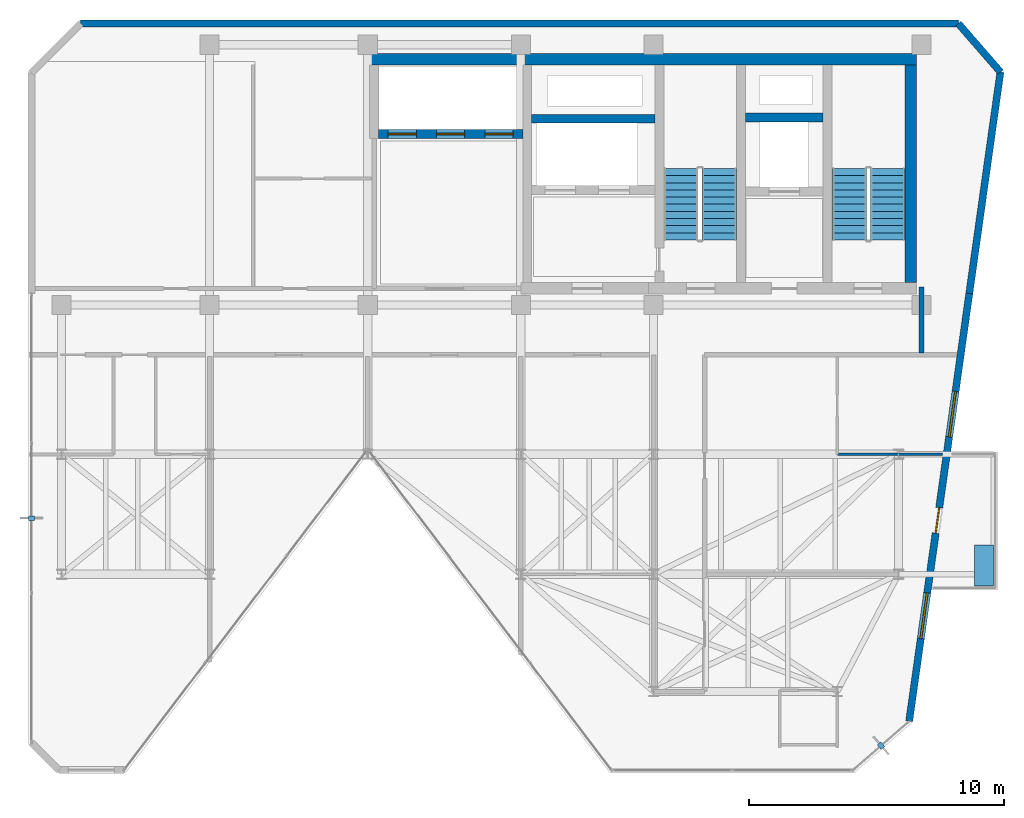
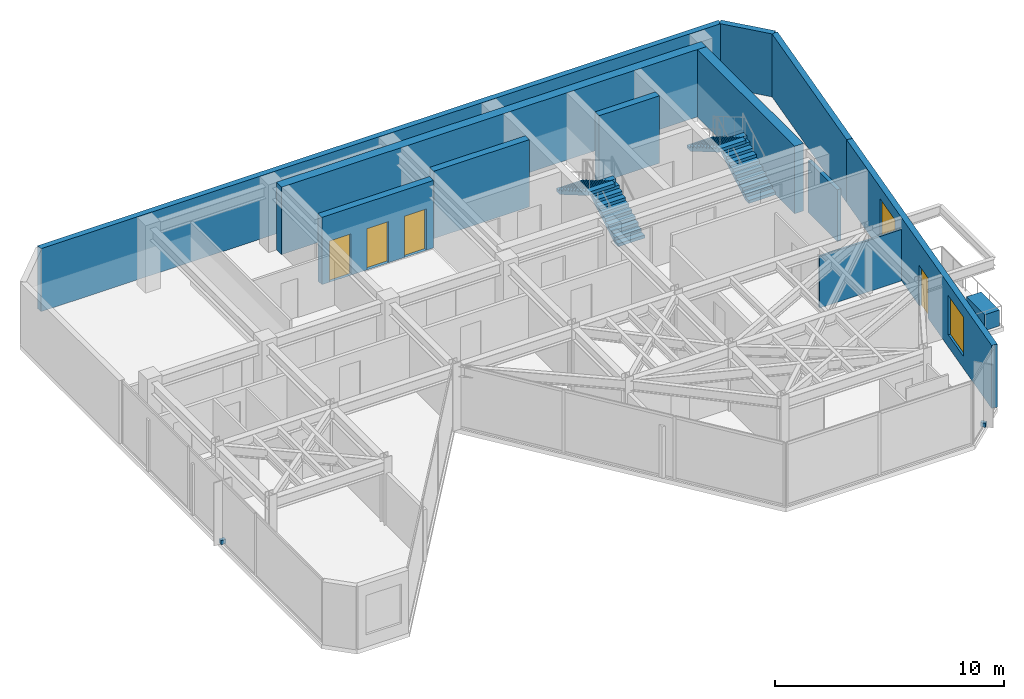
# One storey, part 15 of 17: 11 walls, 4 doors, 4 stair flights, 3 discrete accessories, 2 windows, 6 openings, 2 elements without a shape of their own.
"""IFC4 building model written with IfcOpenShell, lengths in metres."""

from ifc_helpers import new_model, si_unit, direction, frame, frame_2d, origin, origin_2d, place, context, subcontext, project, spatial, polyline, rectangle, outline, extrude, material, layer, layer_set, type_object, element, fill, aggregate, save


model = new_model("IFC4")

# Units and contexts
model_context = context("Model", 3, precision=1e-05, world=origin(), true_north=direction((0.0, 1.0)))
body_context = subcontext(model_context, "Body", "Model", "MODEL_VIEW")
ifc_project = project(units=[si_unit("LENGTHUNIT", "METRE"), si_unit("AREAUNIT", "SQUARE_METRE"), si_unit("VOLUMEUNIT", "CUBIC_METRE"), si_unit("PLANEANGLEUNIT", "RADIAN"), si_unit("MASSUNIT", "GRAM", prefix="KILO")], contexts=[model_context])

# Site, building, storey
site_placement = place(None, origin())
site = spatial("IfcSite", under=ifc_project, at=site_placement, CompositionType="ELEMENT")
building_placement = place(site_placement, origin())
building = spatial("IfcBuilding", under=site, at=building_placement, Name="Kravanh Interchange Tower", CompositionType="ELEMENT")
storey_placement = place(building_placement, frame((0.0, 0.0, 289.5)))
storey = spatial("IfcBuildingStorey", under=building, at=storey_placement, Name="L71", CompositionType="ELEMENT", Elevation=289.5)

# Walls
ifc_material_1 = material(Name="Concrete C60/75", Category="concrete")
ifc_layer_1 = layer(ifc_material_1, 0.35009765625)
ifc_layer_set_1 = layer_set([ifc_layer_1], Name="Core Shear Wall Concrete C60/75 350mm")
wall_type_1 = type_object("IfcWallType", Name="Core Shear Wall Concrete C60/75 350mm", PredefinedType="SHEAR", material=ifc_layer_set_1)
wall_1_placement = place(storey_placement, frame((59.60009765625, 44.699951171875, 0.0), z_axis=(0.0, 0.0, 1.0), x_axis=(1.0, 0.0, 0.0)))
element("IfcWall", 1, at=wall_1_placement, inside=storey, type_object=wall_type_1, Name="L71 Service Lift Shaft North Wall", PredefinedType="SHEAR", context=body_context, shape_type="SweptSolid", body=[
    extrude(rectangle(XDim=3.0498046875, YDim=0.35009765625, at=frame_2d((1.52490234375, 0.0))), origin(), (0.0, 0.0, 1.0), 3.60009765625),
])
wall_2_placement = place(storey_placement, frame((51.22509765625, 44.64990234375, 0.0), z_axis=(0.0, 0.0, 1.0), x_axis=(1.0, 0.0, 0.0)))
element("IfcWall", 2, at=wall_2_placement, inside=storey, type_object=wall_type_1, Name="L71 Fire Lift Shaft North Wall", PredefinedType="SHEAR", context=body_context, shape_type="SweptSolid", body=[
    extrude(rectangle(XDim=4.824951171875, YDim=0.35009765625, at=frame_2d((2.41259765625, 0.0))), origin(), (0.0, 0.0, 1.0), 3.60009765625),
])

# Wall, openings, doors
wall_3_placement = place(storey_placement, frame((45.22509765625, 44.050048828125, 0.0), z_axis=(0.0, 0.0, 1.0), x_axis=(1.0, 0.0, 0.0)))
wall_3 = element("IfcWall", 3, at=wall_3_placement, inside=storey, type_object=wall_type_1, Name="L71 High-Rise Lift Shaft South Wall", PredefinedType="SHEAR", context=body_context, shape_type="SweptSolid", body=[
    extrude(rectangle(XDim=5.64990234375, YDim=0.35009765625, at=frame_2d((2.824951171875, 0.0))), origin(), (0.0, 0.0, 1.0), 3.60009765625),
])
opening_1_placement = place(wall_3_placement, frame((0.375, 0.0, 0.0)))
opening_1 = element("IfcOpeningElement", 4, at=opening_1_placement, cuts=wall_3, Name="Opening LD01", PredefinedType="OPENING", context=body_context, shape_type="SweptSolid", body=[
    extrude(rectangle(XDim=1.10009765625, YDim=2.199951171875, at=frame_2d((0.550048828125, 1.10009765625))), frame((0.0, 0.18505859375, 0.0), z_axis=(0.0, -1.0, 0.0), x_axis=(1.0, 0.0, 0.0)), (0.0, 0.0, 1.0), 0.3701171875),
])
opening_2_placement = place(wall_3_placement, frame((2.27490234375, 0.0, 0.0)))
opening_2 = element("IfcOpeningElement", 5, at=opening_2_placement, cuts=wall_3, Name="Opening LD01", PredefinedType="OPENING", context=body_context, shape_type="SweptSolid", body=[
    extrude(rectangle(XDim=1.10009765625, YDim=2.199951171875, at=frame_2d((0.550048828125, 1.10009765625))), frame((0.0, 0.18505859375, 0.0), z_axis=(0.0, -1.0, 0.0), x_axis=(1.0, 0.0, 0.0)), (0.0, 0.0, 1.0), 0.3701171875),
])
opening_3_placement = place(wall_3_placement, frame((4.175048828125, 0.0, 0.0)))
opening_3 = element("IfcOpeningElement", 6, at=opening_3_placement, cuts=wall_3, Name="Opening LD01", PredefinedType="OPENING", context=body_context, shape_type="SweptSolid", body=[
    extrude(rectangle(XDim=1.10009765625, YDim=2.199951171875, at=frame_2d((0.550048828125, 1.10009765625))), frame((0.0, 0.18505859375, 0.0), z_axis=(0.0, -1.0, 0.0), x_axis=(1.0, 0.0, 0.0)), (0.0, 0.0, 1.0), 0.3701171875),
])
ifc_material_2 = material(Name="Stainless Steel 304", Category="steel")
door_type_1 = type_object("IfcDoorType", Name="Passenger Lift Sliding Landing Door 1100x2200", OperationType="DOUBLE_DOOR_SLIDING", PredefinedType="DOOR", material=ifc_material_2)
door_1_placement = place(opening_1_placement, origin())
door_1 = element("IfcDoor", 7, at=door_1_placement, inside=storey, type_object=door_type_1, Name="L71 Lift LP-H1 Landing Door", OperationType="DOUBLE_DOOR_SLIDING", OverallHeight=2.199951171875, OverallWidth=1.10009765625, PredefinedType="DOOR", context=body_context, shape_type="SweptSolid", body=[
    extrude(rectangle(XDim=1.10009765625, YDim=2.199951171875, at=frame_2d((0.550048828125, 1.10009765625))), frame((0.0, 0.02490234375, 0.0), z_axis=(0.0, -1.0, 0.0), x_axis=(1.0, 0.0, 0.0)), (0.0, 0.0, 1.0), 0.050048828125),
])
fill(opening_1, door_1)
door_2_placement = place(opening_2_placement, origin())
door_2 = element("IfcDoor", 8, at=door_2_placement, inside=storey, type_object=door_type_1, Name="L71 Lift LP-H2 Landing Door", OperationType="DOUBLE_DOOR_SLIDING", OverallHeight=2.199951171875, OverallWidth=1.10009765625, PredefinedType="DOOR", context=body_context, shape_type="SweptSolid", body=[
    extrude(rectangle(XDim=1.10009765625, YDim=2.199951171875, at=frame_2d((0.550048828125, 1.10009765625))), frame((0.0, 0.02490234375, 0.0), z_axis=(0.0, -1.0, 0.0), x_axis=(1.0, 0.0, 0.0)), (0.0, 0.0, 1.0), 0.050048828125),
])
fill(opening_2, door_2)
door_3_placement = place(opening_3_placement, origin())
door_3 = element("IfcDoor", 9, at=door_3_placement, inside=storey, type_object=door_type_1, Name="L71 Lift LP-H3 Landing Door", OperationType="DOUBLE_DOOR_SLIDING", OverallHeight=2.199951171875, OverallWidth=1.10009765625, PredefinedType="DOOR", context=body_context, shape_type="SweptSolid", body=[
    extrude(rectangle(XDim=1.10009765625, YDim=2.199951171875, at=frame_2d((0.550048828125, 1.10009765625))), frame((0.0, 0.02490234375, 0.0), z_axis=(0.0, -1.0, 0.0), x_axis=(1.0, 0.0, 0.0)), (0.0, 0.0, 1.0), 0.050048828125),
])
fill(opening_3, door_3)

# Walls
ifc_material_3 = material(Name="Concrete C60/75", Category="concrete")
ifc_layer_2 = layer(ifc_material_3, 0.449951171875)
ifc_layer_set_2 = layer_set([ifc_layer_2], Name="Core Shear Wall Concrete C60/75 450mm")
wall_type_2 = type_object("IfcWallType", Name="Core Shear Wall Concrete C60/75 450mm", PredefinedType="SHEAR", material=ifc_layer_set_2)
wall_4_placement = place(storey_placement, frame((44.85009765625, 46.97509765625, 0.0), z_axis=(0.0, 0.0, 1.0), x_axis=(1.0, 0.0, 0.0)))
element("IfcWall", 10, at=wall_4_placement, inside=storey, type_object=wall_type_2, Name="L71 North Core Shear Wall", PredefinedType="SHEAR", context=body_context, shape_type="SweptSolid", body=[
    extrude(rectangle(XDim=21.449951171875, YDim=0.449951171875, at=frame_2d((10.72509765625, 0.0))), origin(), (0.0, 0.0, 1.0), 3.60009765625),
])
wall_5_placement = place(storey_placement, frame((66.074951171875, 38.22509765625, 0.0), z_axis=(0.0, 0.0, 1.0), x_axis=(0.0, 1.0, 0.0)))
element("IfcWall", 11, at=wall_5_placement, inside=storey, type_object=wall_type_2, Name="L71 Stair ST1 East Shear Wall", PredefinedType="SHEAR", context=body_context, shape_type="SweptSolid", body=[
    extrude(rectangle(XDim=8.52490234375, YDim=0.449951171875, at=frame_2d((4.262451171875, 0.0))), origin(), (0.0, 0.0, 1.0), 3.60009765625),
])
ifc_material_4 = material(Name="Moisture-Resistant Gypsum Board and Mineral Wool")
ifc_layer_3 = layer(ifc_material_4, 0.10009765625)
ifc_layer_set_3 = layer_set([ifc_layer_3], Name="En-Suite Moisture-Resistant Partition 100mm")
wall_type_3 = type_object("IfcWallType", Name="En-Suite Moisture-Resistant Partition 100mm", PredefinedType="PARTITIONING", material=ifc_layer_set_3)
wall_6_placement = place(storey_placement, frame((63.199951171875, 31.5, 0.0), z_axis=(0.0, 0.0, 1.0), x_axis=(1.0, 0.0, 0.0)))
element("IfcWall", 12, at=wall_6_placement, inside=storey, type_object=wall_type_3, Name="L71 Interior Partition 20", PredefinedType="PARTITIONING", context=body_context, shape_type="SweptSolid", body=[
    extrude(rectangle(XDim=4.123046875, YDim=0.10009765625, at=frame_2d((2.0615234375, 0.0))), origin(), (0.0, 0.0, 1.0), 2.75390625),
])
ifc_material_5 = material(Name="Insulated Precast Concrete C40/50 with Bronze Cladding", Category="concrete")
ifc_layer_4 = layer(ifc_material_5, 0.280029296875)
ifc_layer_set_4 = layer_set([ifc_layer_4], Name="Exterior Insulated Concrete C40/50 Bronze Spandrel Wall 280mm")
wall_type_4 = type_object("IfcWallType", Name="Exterior Insulated Concrete C40/50 Bronze Spandrel Wall 280mm", PredefinedType="STANDARD", material=ifc_layer_set_4)
wall_7_placement = place(storey_placement, frame((33.5498046875, 48.3798828125, 0.0), z_axis=(0.0, 0.0, 1.0), x_axis=(1.0, 0.0, 0.0)))
element("IfcWall", 13, at=wall_7_placement, inside=storey, type_object=wall_type_4, Name="L71 Exterior Wall 3", PredefinedType="STANDARD", context=body_context, shape_type="SweptSolid", body=[
    extrude(rectangle(XDim=34.3955078125, YDim=0.280029296875, at=frame_2d((17.19775390625, 0.0))), origin(), (0.0, 0.0, 1.0), 3.364990234375),
])
wall_8_placement = place(storey_placement, frame((67.9453125, 48.3798828125, 0.0), z_axis=(0.0, 0.0, 1.0), x_axis=(0.656068147197, -0.75470165379, 0.0)))
element("IfcWall", 14, at=wall_8_placement, inside=storey, type_object=wall_type_4, Name="L71 Exterior Wall 4", PredefinedType="STANDARD", context=body_context, shape_type="SweptSolid", body=[
    extrude(rectangle(XDim=2.514892578125, YDim=0.280029296875, at=frame_2d((1.25732421875, 0.0))), origin(), (0.0, 0.0, 1.0), 3.364990234375),
])
wall_9_placement = place(storey_placement, frame((69.59521484375, 46.48193359375, 0.0), z_axis=(0.0, 0.0, 1.0), x_axis=(-0.139179310088, -0.990267196086, 0.0)))
element("IfcWall", 15, at=wall_9_placement, inside=storey, type_object=wall_type_4, Name="L71 Exterior Wall 5", PredefinedType="STANDARD", context=body_context, shape_type="SweptSolid", body=[
    extrude(rectangle(XDim=8.767333984375, YDim=0.280029296875, at=frame_2d((4.3837890625, 0.0))), origin(), (0.0, 0.0, 1.0), 3.364990234375),
])

# Wall, openings, door, windows
wall_10_placement = place(storey_placement, frame((68.375, 37.800048828125, 0.0), z_axis=(0.0, 0.0, 1.0), x_axis=(-0.139171056495, -0.99026835607, 0.0)))
wall_10 = element("IfcWall", 16, at=wall_10_placement, inside=storey, type_object=wall_type_4, Name="L71 Exterior Wall 6", PredefinedType="STANDARD", context=body_context, shape_type="SweptSolid", body=[
    extrude(rectangle(XDim=16.92333984375, YDim=0.280029296875, at=frame_2d((8.461669921875, 0.0))), origin(), (0.0, 0.0, 1.0), 3.364990234375),
])
opening_4_placement = place(wall_10_placement, frame((8.480712890625, 0.0, 0.0)))
opening_4 = element("IfcOpeningElement", 17, at=opening_4_placement, cuts=wall_10, Name="Opening ED-BAL100", PredefinedType="OPENING", context=body_context, shape_type="SweptSolid", body=[
    extrude(rectangle(XDim=1.0, YDim=2.14990234375, at=frame_2d((0.5, 1.074951171875))), frame((0.0, 0.14990234375, 0.0), z_axis=(0.0, -1.0, 0.0), x_axis=(1.0, 0.0, 0.0)), (0.0, 0.0, 1.0), 0.300048828125),
])
opening_5_placement = place(wall_10_placement, frame((3.87548828125, 0.0, 0.64990234375)))
opening_5 = element("IfcOpeningElement", 18, at=opening_5_placement, cuts=wall_10, Name="Opening WN-180X210", PredefinedType="OPENING", context=body_context, shape_type="SweptSolid", body=[
    extrude(rectangle(XDim=1.800048828125, YDim=2.10009765625, at=frame_2d((0.89990234375, 1.050048828125))), frame((0.0, 0.14990234375, 0.0), z_axis=(0.0, -1.0, 0.0), x_axis=(1.0, 0.0, 0.0)), (0.0, 0.0, 1.0), 0.300048828125),
])
opening_6_placement = place(wall_10_placement, frame((11.851806640625, 0.0, 0.64990234375)))
opening_6 = element("IfcOpeningElement", 19, at=opening_6_placement, cuts=wall_10, Name="Opening WN-180X210", PredefinedType="OPENING", context=body_context, shape_type="SweptSolid", body=[
    extrude(rectangle(XDim=1.800048828125, YDim=2.10009765625, at=frame_2d((0.89990234375, 1.050048828125))), frame((0.0, 0.14990234375, 0.0), z_axis=(0.0, -1.0, 0.0), x_axis=(1.0, 0.0, 0.0)), (0.0, 0.0, 1.0), 0.300048828125),
])
ifc_material_6 = material(Name="Thermally Broken Bronze Aluminium and Laminated Glass", Category="aluminium")
door_type_2 = type_object("IfcDoorType", Name="Balcony Glazed Door 1000x2150", OperationType="NOTDEFINED", PredefinedType="DOOR", material=ifc_material_6)
door_4_placement = place(opening_4_placement, origin())
door_4 = element("IfcDoor", 20, at=door_4_placement, inside=storey, type_object=door_type_2, Name="L71 E Tree Balcony Access Door", OperationType="SINGLE_SWING_LEFT", OverallHeight=2.14990234375, OverallWidth=1.0, PredefinedType="DOOR", context=body_context, shape_type="SweptSolid", body=[
    extrude(rectangle(XDim=1.0, YDim=2.14990234375, at=frame_2d((0.5, 1.074951171875))), frame((0.0, 0.02490234375, 0.0), z_axis=(0.0, -1.0, 0.0), x_axis=(1.0, 0.0, 0.0)), (0.0, 0.0, 1.0), 0.050048828125),
])
fill(opening_4, door_4)
ifc_material_7 = material(Name="Thermally Broken Bronze Aluminium and Low-E Glass", Category="aluminium")
window_type = type_object("IfcWindowType", Name="Tower Pier Window 1800x2100", PartitioningType="SINGLE_PANEL", PredefinedType="WINDOW", material=ifc_material_7)
window_1_placement = place(opening_5_placement, origin())
window_1 = element("IfcWindow", 21, at=window_1_placement, inside=storey, type_object=window_type, Name="L71 Facade Window 6A", OverallHeight=2.10009765625, OverallWidth=1.800048828125, PartitioningType="SINGLE_PANEL", PredefinedType="WINDOW", context=body_context, shape_type="SweptSolid", body=[
    extrude(rectangle(XDim=1.800048828125, YDim=2.10009765625, at=frame_2d((0.89990234375, 1.050048828125))), frame((0.0, 0.030029296875, 0.0), z_axis=(0.0, -1.0, 0.0), x_axis=(1.0, 0.0, 0.0)), (0.0, 0.0, 1.0), 0.06005859375),
])
fill(opening_5, window_1)
window_2_placement = place(opening_6_placement, origin())
window_2 = element("IfcWindow", 22, at=window_2_placement, inside=storey, type_object=window_type, Name="L71 Facade Window 6B", OverallHeight=2.10009765625, OverallWidth=1.800048828125, PartitioningType="SINGLE_PANEL", PredefinedType="WINDOW", context=body_context, shape_type="SweptSolid", body=[
    extrude(rectangle(XDim=1.800048828125, YDim=2.10009765625, at=frame_2d((0.89990234375, 1.050048828125))), frame((0.0, 0.030029296875, 0.0), z_axis=(0.0, -1.0, 0.0), x_axis=(1.0, 0.0, 0.0)), (0.0, 0.0, 1.0), 0.06005859375),
])
fill(opening_6, window_2)

# Wall
ifc_material_8 = material(Name="Autoclaved Aerated Concrete C30/37 Blockwork", Category="masonry")
ifc_layer_5 = layer(ifc_material_8, 0.179931640625)
ifc_layer_set_5 = layer_set([ifc_layer_5], Name="Fire-Rated Lobby and Corridor Wall Concrete C30/37 180mm")
wall_type_5 = type_object("IfcWallType", Name="Fire-Rated Lobby and Corridor Wall Concrete C30/37 180mm", PredefinedType="STANDARD", material=ifc_layer_set_5)
wall_11_placement = place(storey_placement, frame((66.5, 35.468017578125, 0.0), z_axis=(0.0, 0.0, 1.0), x_axis=(0.0, 1.0, 0.0)))
element("IfcWall", 23, at=wall_11_placement, inside=storey, type_object=wall_type_5, Name="L71 Interior Partition 9", PredefinedType="STANDARD", context=body_context, shape_type="SweptSolid", body=[
    extrude(rectangle(XDim=2.58203125, YDim=0.179931640625, at=frame_2d((1.291015625, 0.0))), origin(), (0.0, 0.0, 1.0), 2.75390625),
])

# Stair, stair flights
ifc_material_9 = material(Name="Concrete C50/60", Category="concrete")
stair_type = type_object("IfcStairType", Name="Core Fire Exit Dogleg Stair Concrete C50/60", PredefinedType="HALF_TURN_STAIR", material=ifc_material_9)
stair_1_placement = place(storey_placement, origin())
stair_1 = element("IfcStair", 24, at=stair_1_placement, inside=storey, type_object=stair_type, Name="L71 Exit Stair ST1", PredefinedType="HALF_TURN_STAIR")
ifc_material_10 = material(Name="Precast Concrete C50/60", Category="concrete")
ifc_layer_6 = layer(ifc_material_10, 0.199951171875)
ifc_layer_set_6 = layer_set([ifc_layer_6], Name="Precast Concrete C50/60 Stair Flight 1350mm")
stair_flight_type = type_object("IfcStairFlightType", Name="Precast Concrete C50/60 Stair Flight 1350mm", PredefinedType="STRAIGHT", material=ifc_layer_set_6)
stair_flight_1_placement = place(storey_placement, frame((65.175048828125, 39.89990234375, 0.0), z_axis=(0.0, 0.0, 1.0), x_axis=(0.0, 1.0, 0.0)))
stair_flight_1 = element("IfcStairFlight", 25, at=stair_flight_1_placement, type_object=stair_flight_type, Name="ST1 flight 1", NumberOfRisers=11, NumberOfTreads=10, PredefinedType="STRAIGHT", RiserHeight=0.163636364, TreadLength=0.28, context=body_context, shape_type="SweptSolid", body=[
    extrude(outline(polyline([(0.0, 0.0), (0.0, 0.16357421875), (0.280029296875, 0.16357421875), (0.280029296875, 0.327392578125), (0.56005859375, 0.327392578125), (0.56005859375, 0.490966796875), (0.840087890625, 0.490966796875), (0.840087890625, 0.654541015625), (1.1201171875, 0.654541015625), (1.1201171875, 0.818115234375), (1.39990234375, 0.818115234375), (1.39990234375, 0.98193359375), (1.679931640625, 0.98193359375), (1.679931640625, 1.1455078125), (1.9599609375, 1.1455078125), (1.9599609375, 1.30908203125), (2.239990234375, 1.30908203125), (2.239990234375, 1.47265625), (2.52001953125, 1.47265625), (2.52001953125, 1.636474609375), (2.800048828125, 1.636474609375), (2.800048828125, 1.800048828125), (2.800048828125, 1.462646484375), (0.297119140625, 0.0), (0.0, 0.0)])), frame((0.0, 0.675048828125, 0.0), z_axis=(0.0, -1.0, 0.0), x_axis=(1.0, 0.0, 0.0)), (0.0, 0.0, 1.0), 1.35009765625),
])
stair_flight_2_placement = place(storey_placement, frame((63.675048828125, 42.699951171875, 1.800048828125), z_axis=(0.0, 0.0, 1.0), x_axis=(0.0, -1.0, 0.0)))
stair_flight_2 = element("IfcStairFlight", 26, at=stair_flight_2_placement, type_object=stair_flight_type, Name="ST1 flight 2", NumberOfRisers=11, NumberOfTreads=10, PredefinedType="STRAIGHT", RiserHeight=0.163636364, TreadLength=0.28, context=body_context, shape_type="SweptSolid", body=[
    extrude(outline(polyline([(0.0, 0.0), (0.0, 0.16357421875), (0.280029296875, 0.16357421875), (0.280029296875, 0.327392578125), (0.56005859375, 0.327392578125), (0.56005859375, 0.490966796875), (0.840087890625, 0.490966796875), (0.840087890625, 0.654541015625), (1.1201171875, 0.654541015625), (1.1201171875, 0.818115234375), (1.39990234375, 0.818115234375), (1.39990234375, 0.98193359375), (1.679931640625, 0.98193359375), (1.679931640625, 1.1455078125), (1.9599609375, 1.1455078125), (1.9599609375, 1.30908203125), (2.239990234375, 1.30908203125), (2.239990234375, 1.47265625), (2.52001953125, 1.47265625), (2.52001953125, 1.636474609375), (2.800048828125, 1.636474609375), (2.800048828125, 1.800048828125), (2.800048828125, 1.462646484375), (0.297119140625, 0.0), (0.0, 0.0)])), frame((0.0, 0.675048828125, 0.0), z_axis=(0.0, -1.0, 0.0), x_axis=(1.0, 0.0, 0.0)), (0.0, 0.0, 1.0), 1.35009765625),
])
aggregate(stair_1, [stair_flight_1, stair_flight_2])

stair_2_placement = place(storey_placement, origin())
stair_2 = element("IfcStair", 27, at=stair_2_placement, inside=storey, type_object=stair_type, Name="L71 Exit Stair ST2", PredefinedType="HALF_TURN_STAIR")
stair_flight_3_placement = place(storey_placement, frame((58.574951171875, 39.89990234375, 0.0), z_axis=(0.0, 0.0, 1.0), x_axis=(0.0, 1.0, 0.0)))
stair_flight_3 = element("IfcStairFlight", 28, at=stair_flight_3_placement, type_object=stair_flight_type, Name="ST2 flight 1", NumberOfRisers=11, NumberOfTreads=10, PredefinedType="STRAIGHT", RiserHeight=0.163636364, TreadLength=0.28, context=body_context, shape_type="SweptSolid", body=[
    extrude(outline(polyline([(0.0, 0.0), (0.0, 0.16357421875), (0.280029296875, 0.16357421875), (0.280029296875, 0.327392578125), (0.56005859375, 0.327392578125), (0.56005859375, 0.490966796875), (0.840087890625, 0.490966796875), (0.840087890625, 0.654541015625), (1.1201171875, 0.654541015625), (1.1201171875, 0.818115234375), (1.39990234375, 0.818115234375), (1.39990234375, 0.98193359375), (1.679931640625, 0.98193359375), (1.679931640625, 1.1455078125), (1.9599609375, 1.1455078125), (1.9599609375, 1.30908203125), (2.239990234375, 1.30908203125), (2.239990234375, 1.47265625), (2.52001953125, 1.47265625), (2.52001953125, 1.636474609375), (2.800048828125, 1.636474609375), (2.800048828125, 1.800048828125), (2.800048828125, 1.462646484375), (0.297119140625, 0.0), (0.0, 0.0)])), frame((0.0, 0.675048828125, 0.0), z_axis=(0.0, -1.0, 0.0), x_axis=(1.0, 0.0, 0.0)), (0.0, 0.0, 1.0), 1.35009765625),
])
stair_flight_4_placement = place(storey_placement, frame((57.074951171875, 42.699951171875, 1.800048828125), z_axis=(0.0, 0.0, 1.0), x_axis=(0.0, -1.0, 0.0)))
stair_flight_4 = element("IfcStairFlight", 29, at=stair_flight_4_placement, type_object=stair_flight_type, Name="ST2 flight 2", NumberOfRisers=11, NumberOfTreads=10, PredefinedType="STRAIGHT", RiserHeight=0.163636364, TreadLength=0.28, context=body_context, shape_type="SweptSolid", body=[
    extrude(outline(polyline([(0.0, 0.0), (0.0, 0.16357421875), (0.280029296875, 0.16357421875), (0.280029296875, 0.327392578125), (0.56005859375, 0.327392578125), (0.56005859375, 0.490966796875), (0.840087890625, 0.490966796875), (0.840087890625, 0.654541015625), (1.1201171875, 0.654541015625), (1.1201171875, 0.818115234375), (1.39990234375, 0.818115234375), (1.39990234375, 0.98193359375), (1.679931640625, 0.98193359375), (1.679931640625, 1.1455078125), (1.9599609375, 1.1455078125), (1.9599609375, 1.30908203125), (2.239990234375, 1.30908203125), (2.239990234375, 1.47265625), (2.52001953125, 1.47265625), (2.52001953125, 1.636474609375), (2.800048828125, 1.636474609375), (2.800048828125, 1.800048828125), (2.800048828125, 1.462646484375), (0.297119140625, 0.0), (0.0, 0.0)])), frame((0.0, 0.675048828125, 0.0), z_axis=(0.0, -1.0, 0.0), x_axis=(1.0, 0.0, 0.0)), (0.0, 0.0, 1.0), 1.35009765625),
])
aggregate(stair_2, [stair_flight_3, stair_flight_4])

# Discrete accessories
ifc_material_11 = material(Name="Stainless Steel 316", Category="steel")
discrete_accessory_type_1 = type_object("IfcDiscreteAccessoryType", Name="Solar Fin Curtain-Wall Mounting Bracket Stainless 316", PredefinedType="BRACKET", material=ifc_material_11)
for number, where, z_axis, x_axis, name in (
    (30, (31.6201171875, 28.994873046875, 0.0), (0.0, 0.0, 1.0), (-1.0, 0.0, 0.0), "L71 Solar Fin Mounting Bracket 1"),
    (31, (64.91455078125, 20.080810546875, 0.0), (0.0, 0.0, 1.0), (0.656043386928, -0.754723177376, 0.0), "L71 Solar Fin Mounting Bracket 2"),
):
    element("IfcDiscreteAccessory", number, at=place(storey_placement, frame(where, z_axis=z_axis, x_axis=x_axis)), inside=storey, type_object=discrete_accessory_type_1, Name=name, PredefinedType="BRACKET", context=body_context, shape_type="SweptSolid", body=[
        extrude(rectangle(XDim=0.239990234375, YDim=0.179931640625, at=origin_2d()), origin(), (0.0, 0.0, 1.0), 0.219970703125),
    ])
ifc_material_12 = material(Name="Architectural GRC Concrete C40/50 with Root Barrier", Category="concrete")
discrete_accessory_type_2 = type_object("IfcDiscreteAccessoryType", Name="Structural Balcony Tree Planter Box Concrete C40/50 1600x750x850", PredefinedType="USERDEFINED", material=ifc_material_12)
discrete_accessory_placement = place(storey_placement, frame((68.952880859375, 27.139892578125, 0.0), z_axis=(0.0, 0.0, 1.0), x_axis=(1.0, 0.0, 0.0)))
element("IfcDiscreteAccessory", 32, at=discrete_accessory_placement, inside=storey, type_object=discrete_accessory_type_2, Name="L71 E Balcony TREE PLANTER", ObjectType="PLANTER", PredefinedType="USERDEFINED", context=body_context, shape_type="SweptSolid", body=[
    extrude(rectangle(XDim=0.75, YDim=1.60009765625, at=origin_2d()), origin(), (0.0, 0.0, 1.0), 0.85009765625),
])

save(model, "model.ifc")
